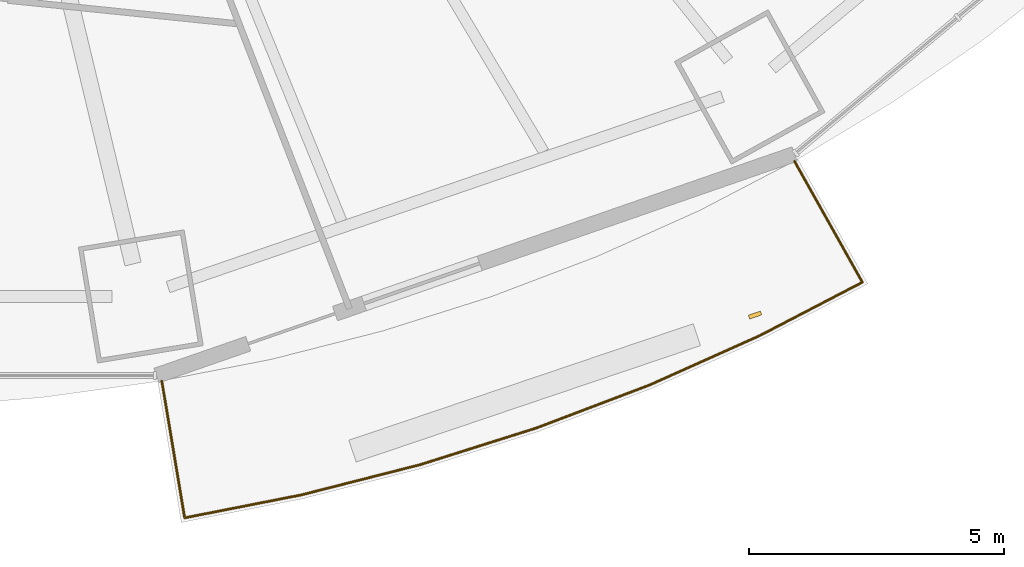
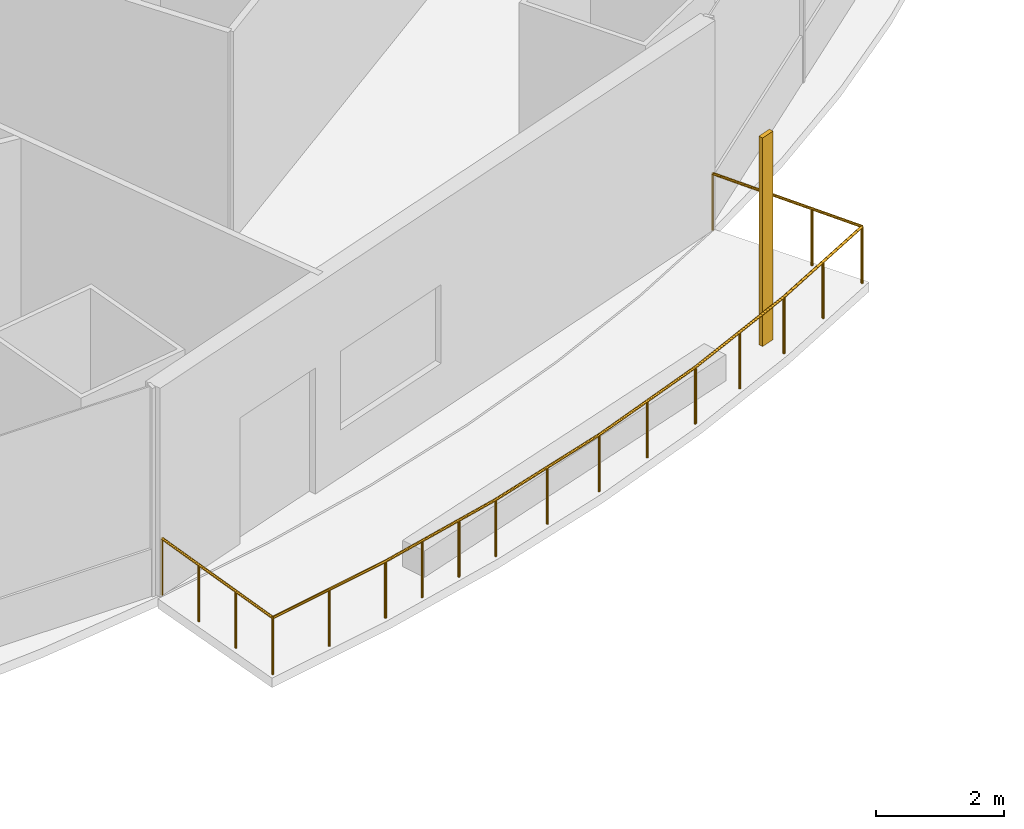
# One storey, part 18 of 22: 1 railing, 1 shading device.
"""IFC4 building model written with IfcOpenShell, lengths in metres."""

from ifc_helpers import new_model, si_unit, direction, frame, origin, origin_2d, place, context, subcontext, project, spatial, rectangle, circle, extrude, material, material_profile, profile_set, type_object, element, save


model = new_model("IFC4")

# Units and contexts
model_context = context("Model", 3, precision=1e-05, world=origin(), true_north=direction((0.0, 1.0)))
body_context = subcontext(model_context, "Body", "Model", "MODEL_VIEW")
ifc_project = project(units=[si_unit("LENGTHUNIT", "METRE"), si_unit("AREAUNIT", "SQUARE_METRE"), si_unit("VOLUMEUNIT", "CUBIC_METRE"), si_unit("PLANEANGLEUNIT", "RADIAN"), si_unit("MASSUNIT", "GRAM", prefix="KILO")], contexts=[model_context])

# Site, building, storey
site_placement = place(None, origin())
site = spatial("IfcSite", under=ifc_project, at=site_placement, CompositionType="ELEMENT")
building_placement = place(site_placement, origin())
building = spatial("IfcBuilding", under=site, at=building_placement, Name="Marenthal Gate Tower", CompositionType="ELEMENT")
storey_placement = place(building_placement, frame((0.0, 0.0, 99.39990234375)))
storey = spatial("IfcBuildingStorey", under=building, at=storey_placement, Name="L20", CompositionType="ELEMENT", Elevation=99.39990234375)

# Railing
ifc_material_1 = material(Name="Stainless steel", Category="steel")
railing_type = type_object("IfcRailingType", Name="Balcony guard 1100", PredefinedType="GUARDRAIL", material=ifc_material_1)
railing_placement = place(storey_placement, frame((19.25732421875, -24.295654296875, 0.0)))
element("IfcRailing", 1, at=railing_placement, inside=storey, type_object=railing_type, Name="Balcony guard L20 bay 13", PredefinedType="GUARDRAIL", context=body_context, shape_type="SweptSolid", body=[
    extrude(circle(Radius=0.02392578125, at=origin_2d()), frame((0.0, 0.0, 1.076171875), z_axis=(0.489130352143, -0.87208800583, -0.01462903622), x_axis=(0.872181338021, 0.489182699621, 0.0)), (0.0, 0.0, 1.0), 2.72021484375),
    extrude(circle(Radius=0.02392578125, at=origin_2d()), frame((1.33056640625, -2.372314453125, 1.0361328125), z_axis=(-0.887149676746, -0.461481799261, 0.0), x_axis=(0.461481799261, -0.887149676746, 0.0)), (0.0, 0.0, 1.0), 2.26318359375),
    extrude(circle(Radius=0.02392578125, at=origin_2d()), frame((-0.67724609375, -3.416748046875, 1.0361328125), z_axis=(-0.91251864488, -0.409035111876, 0.0), x_axis=(0.409035111876, -0.91251864488, 0.0)), (0.0, 0.0, 1.0), 2.360107421875),
    extrude(circle(Radius=0.02392578125, at=origin_2d()), frame((-2.830810546875, -4.382080078125, 1.0361328125), z_axis=(-0.934799959644, -0.355174654852, 0.0), x_axis=(0.355174654852, -0.934799959644, 0.0)), (0.0, 0.0, 1.0), 2.37548828125),
    extrude(circle(Radius=0.02392578125, at=origin_2d()), frame((-5.051513671875, -5.225830078125, 1.0361328125), z_axis=(-0.953610460093, -0.301043336416, 0.0), x_axis=(0.301043336416, -0.953610460093, 0.0)), (0.0, 0.0, 1.0), 2.38916015625),
    extrude(circle(Radius=0.02392578125, at=origin_2d()), frame((-7.329833984375, -5.945068359375, 1.0361328125), z_axis=(-0.969123243842, -0.246576840449, 0.0), x_axis=(0.246576840449, -0.969123243842, 0.0)), (0.0, 0.0, 1.0), 2.401123046875),
    extrude(circle(Radius=0.02392578125, at=origin_2d()), frame((-9.65673828125, -6.537109375, 1.0361328125), z_axis=(-0.981231836587, -0.192831747562, 0.0), x_axis=(0.192831747562, -0.981231836587, 0.0)), (0.0, 0.0, 1.0), 2.330810546875),
    extrude(circle(Radius=0.02392578125, at=origin_2d()), frame((-11.94384765625, -6.986572265625, 1.0361328125), z_axis=(-0.164585130929, 0.986254410528, 0.01462779517), x_axis=(-0.986359943071, -0.164602742092, 0.0)), (0.0, 0.0, 1.0), 2.720458984375),
    extrude(circle(Radius=0.02099609375, at=origin_2d()), origin(), (0.0, 0.0, 1.0), 1.052001953125),
    extrude(circle(Radius=0.02099609375, at=origin_2d()), frame((0.443603515625, -0.790771484375, -0.01318359375)), (0.0, 0.0, 1.0), 1.052001953125),
    extrude(circle(Radius=0.02099609375, at=origin_2d()), frame((0.886962890625, -1.58154296875, -0.026611328125)), (0.0, 0.0, 1.0), 1.052001953125),
    extrude(circle(Radius=0.02099609375, at=origin_2d()), frame((1.33056640625, -2.372314453125, -0.039794921875)), (0.0, 0.0, 1.0), 1.052001953125),
    extrude(circle(Radius=0.02099609375, at=origin_2d()), frame((0.32666015625, -2.89453125, -0.039794921875)), (0.0, 0.0, 1.0), 1.052001953125),
    extrude(circle(Radius=0.02099609375, at=origin_2d()), frame((-0.67724609375, -3.416748046875, -0.039794921875)), (0.0, 0.0, 1.0), 1.052001953125),
    extrude(circle(Radius=0.02099609375, at=origin_2d()), frame((-1.75390625, -3.8994140625, -0.039794921875)), (0.0, 0.0, 1.0), 1.052001953125),
    extrude(circle(Radius=0.02099609375, at=origin_2d()), frame((-2.830810546875, -4.382080078125, -0.039794921875)), (0.0, 0.0, 1.0), 1.052001953125),
    extrude(circle(Radius=0.02099609375, at=origin_2d()), frame((-3.941162109375, -4.803955078125, -0.039794921875)), (0.0, 0.0, 1.0), 1.052001953125),
    extrude(circle(Radius=0.02099609375, at=origin_2d()), frame((-5.051513671875, -5.225830078125, -0.039794921875)), (0.0, 0.0, 1.0), 1.052001953125),
    extrude(circle(Radius=0.02099609375, at=origin_2d()), frame((-6.190673828125, -5.58544921875, -0.039794921875)), (0.0, 0.0, 1.0), 1.052001953125),
    extrude(circle(Radius=0.02099609375, at=origin_2d()), frame((-7.329833984375, -5.945068359375, -0.039794921875)), (0.0, 0.0, 1.0), 1.052001953125),
    extrude(circle(Radius=0.02099609375, at=origin_2d()), frame((-8.10546875, -6.142333984375, -0.039794921875)), (0.0, 0.0, 1.0), 1.052001953125),
    extrude(circle(Radius=0.02099609375, at=origin_2d()), frame((-8.881103515625, -6.33984375, -0.039794921875)), (0.0, 0.0, 1.0), 1.052001953125),
    extrude(circle(Radius=0.02099609375, at=origin_2d()), frame((-9.65673828125, -6.537109375, -0.039794921875)), (0.0, 0.0, 1.0), 1.052001953125),
    extrude(circle(Radius=0.02099609375, at=origin_2d()), frame((-10.80029296875, -6.76171875, -0.039794921875)), (0.0, 0.0, 1.0), 1.052001953125),
    extrude(circle(Radius=0.02099609375, at=origin_2d()), frame((-11.94384765625, -6.986572265625, -0.039794921875)), (0.0, 0.0, 1.0), 1.052001953125),
    extrude(circle(Radius=0.02099609375, at=origin_2d()), frame((-12.093017578125, -6.09228515625, -0.026611328125)), (0.0, 0.0, 1.0), 1.052001953125),
    extrude(circle(Radius=0.02099609375, at=origin_2d()), frame((-12.242431640625, -5.19775390625, -0.01318359375)), (0.0, 0.0, 1.0), 1.052001953125),
    extrude(circle(Radius=0.02099609375, at=origin_2d()), frame((-12.3916015625, -4.303466796875, 0.0)), (0.0, 0.0, 1.0), 1.052001953125),
])

# Shading device
ifc_material_2 = material(Name="Terracotta", Category="masonry")
ifc_material_profile = material_profile(ifc_material_2, rectangle(XDim=0.25, YDim=0.080078125, at=origin_2d()), Name="Terracotta baguette 250x80")
ifc_profile_set = profile_set([ifc_material_profile], Name="Terracotta")
shading_device_type = type_object("IfcShadingDeviceType", Name="Terracotta BAGUETTE SCREEN 250x80", PredefinedType="USERDEFINED", material=ifc_profile_set)
shading_device_placement = place(storey_placement, frame((18.486572265625, -27.31005859375, -0.039794921875), z_axis=(0.0, 0.0, 1.0), x_axis=(0.94461425051, 0.328182750512, 0.0)))
element("IfcShadingDevice", 2, at=shading_device_placement, inside=storey, type_object=shading_device_type, Name="Terracotta BAGUETTE L20 bay 13R", ObjectType="BAGUETTE SCREEN", PredefinedType="USERDEFINED", context=body_context, shape_type="SweptSolid", body=[
    extrude(rectangle(XDim=0.25, YDim=0.080078125, at=origin_2d()), origin(), (0.0, 0.0, 1.0), 3.969970703125),
])

save(model, "model.ifc")
